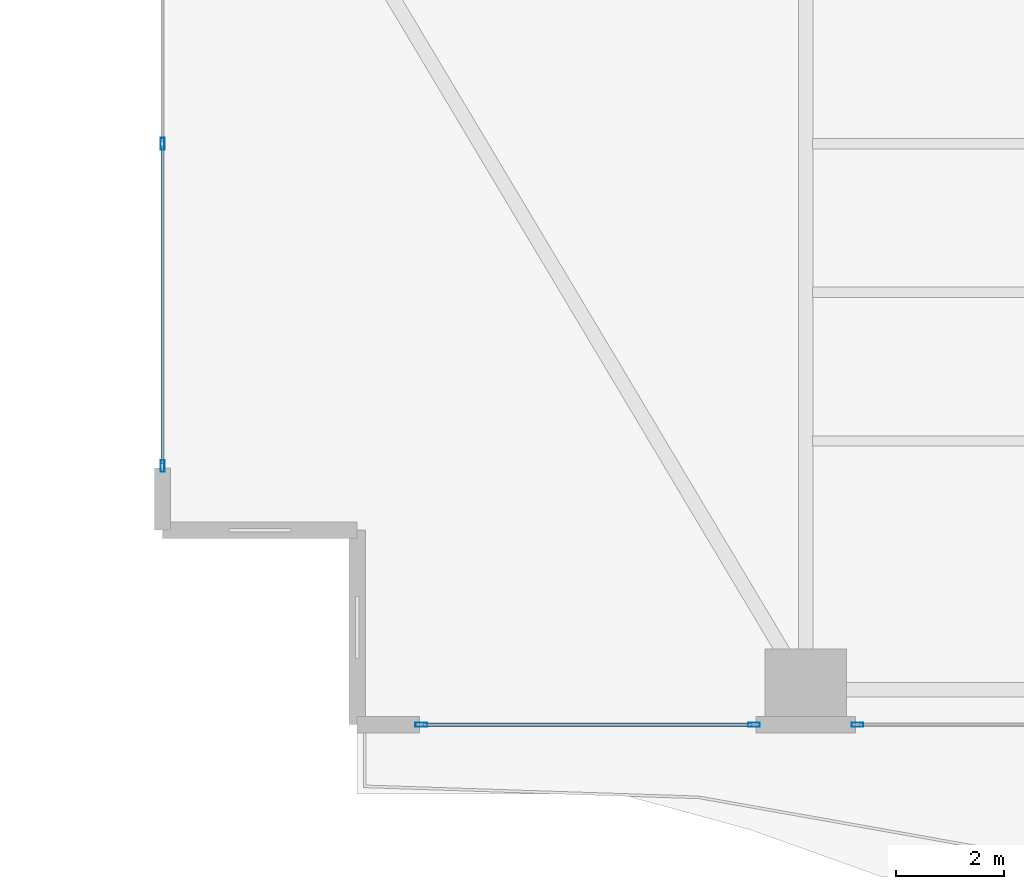
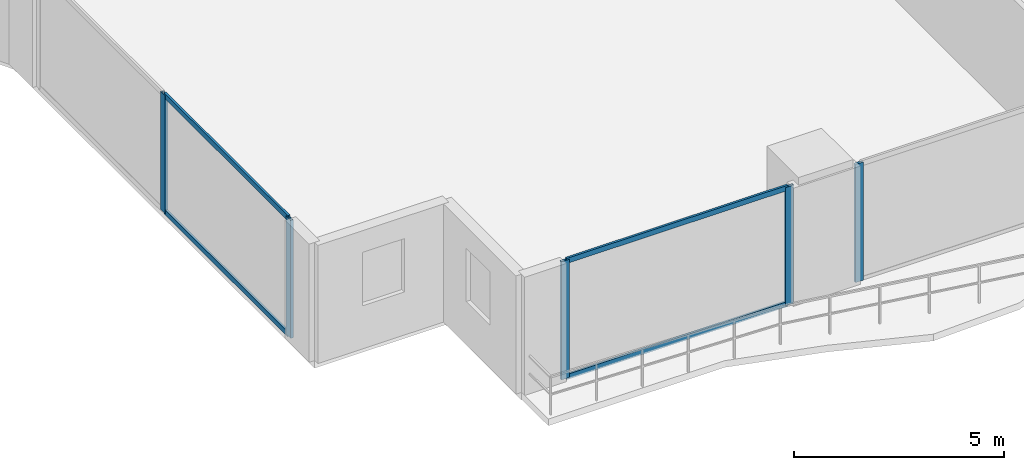
# One storey, part 2 of 30: 9 members, 3 elements without a shape of their own.
"""IFC4 building model written with IfcOpenShell, lengths in metres."""

import ifcopenshell
import ifcopenshell.guid

model = None  # the IFC model being written
_history = None  # IfcOwnerHistory: only IFC2X3 demands one
_inside = {}  # id of a spatial element -> (the spatial element, [elements in it])
_under = {}  # id of a project, library or spatial element -> (it, [spatial elements below it])
_declared = {}  # id of a project -> (the project, [libraries it declares])
_typed = {}  # id of a type object -> (the type object, [elements of that type])
_made_of = {}  # id of a material, layer set ... -> (it, [elements and type objects made of it])


def new_model(schema):
    """Start an empty IFC model of exactly this schema.

    Asked for "IFC4X3", IfcOpenShell would pick the latest addendum, in which some entities
    have other attributes; the version numbers below select the first issue.
    IFC2X3 requires an IfcOwnerHistory on every rooted entity: one is made here for all.
    """
    global model, _history
    if schema == "IFC4X3":
        model = ifcopenshell.file(schema_version=(4, 3, 0, 0))
    else:
        model = ifcopenshell.file(schema=schema)
    _inside.clear()
    _under.clear()
    _declared.clear()
    _typed.clear()
    _made_of.clear()
    _history = None
    if model.schema == "IFC2X3":
        org = make("IfcOrganization", Name="unknown")
        user = make(
            "IfcPersonAndOrganization",
            ThePerson=make("IfcPerson", FamilyName="unknown"),
            TheOrganization=org,
        )
        app = make(
            "IfcApplication",
            ApplicationDeveloper=org,
            Version="unknown",
            ApplicationFullName="unknown",
            ApplicationIdentifier="unknown",
        )
        _history = make(
            "IfcOwnerHistory",
            OwningUser=user,
            OwningApplication=app,
            ChangeAction="ADDED",
            CreationDate=0,
        )
    return model


def make(cls, **values):
    """One entity of the class cls with the attributes given. An attribute that is None is left unset."""
    return model.create_entity(
        cls, **{name: value for name, value in values.items() if value is not None}
    )


def rooted(cls, **values):
    """An entity with a GlobalId (a new one), such as an element, a storey or a relation."""
    return make(cls, GlobalId=ifcopenshell.guid.new(), OwnerHistory=_history, **values)


def si_unit(unit_type, name, prefix=None):
    """IfcSIUnit, for example si_unit("LENGTHUNIT", "METRE", prefix="MILLI")."""
    return make("IfcSIUnit", UnitType=unit_type, Prefix=prefix, Name=name)


def assignment(units):
    """IfcUnitAssignment: the units of a project."""
    return None if units is None else make("IfcUnitAssignment", Units=units)


def point(xyz):
    """IfcCartesianPoint."""
    return None if xyz is None else make("IfcCartesianPoint", Coordinates=xyz)


def direction(xyz):
    """IfcDirection."""
    return None if xyz is None else make("IfcDirection", DirectionRatios=xyz)


def frame(location, z_axis=None, x_axis=None):
    """IfcAxis2Placement3D, a coordinate frame: its origin and axes. An axis left out is left unset."""
    return make(
        "IfcAxis2Placement3D",
        Location=point(location),
        Axis=direction(z_axis),
        RefDirection=direction(x_axis),
    )


def frame_2d(location, x_axis=None):
    """IfcAxis2Placement2D, a coordinate frame in the plane: its origin and x axis."""
    return make(
        "IfcAxis2Placement2D", Location=point(location), RefDirection=direction(x_axis)
    )


def origin():
    """The frame at (0, 0, 0) with its axes left unset."""
    return frame((0.0, 0.0, 0.0))


def origin_2d():
    """The frame at (0, 0) in the plane with its x axis left unset."""
    return frame_2d((0.0, 0.0))


def place(relative_to, where):
    """IfcLocalPlacement: puts the frame where relative to a parent placement (None: the world)."""
    return make(
        "IfcLocalPlacement", PlacementRelTo=relative_to, RelativePlacement=where
    )


def context(
    kind, dimensions, precision=None, world=None, true_north=None, identifier=None
):
    """IfcGeometricRepresentationContext, for example the 3D "Model" context."""
    return make(
        "IfcGeometricRepresentationContext",
        ContextIdentifier=identifier,
        ContextType=kind,
        CoordinateSpaceDimension=dimensions,
        Precision=precision,
        WorldCoordinateSystem=world,
        TrueNorth=true_north,
    )


def subcontext(parent, identifier, kind, view, scale=None):
    """IfcGeometricRepresentationSubContext, for example "Body" below "Model"."""
    return make(
        "IfcGeometricRepresentationSubContext",
        ContextIdentifier=identifier,
        ContextType=kind,
        ParentContext=parent,
        TargetScale=scale,
        TargetView=view,
    )


def project(units=None, contexts=None):
    """IfcProject with its units and contexts."""
    return rooted(
        "IfcProject",
        Name="project",
        RepresentationContexts=contexts,
        UnitsInContext=assignment(units),
    )


def spatial(cls, under=None, at=None, **own):
    """A site, building, storey or space (cls), placed at a placement, below another one or the project."""
    s = rooted(cls, ObjectPlacement=at, **own)
    if under is not None:
        _under.setdefault(under.id(), (under, []))[1].append(s)
    return s


def profile(cls, at=None, kind="AREA", **sizes):
    """A parametric profile (cls). Its sizes go by their IFC names, for example OverallWidth=200.0."""
    return make(cls, ProfileType=kind, Position=at, **sizes)


def hollow_rectangle(**sizes):
    """IfcRectangleHollowProfileDef."""
    return profile("IfcRectangleHollowProfileDef", **sizes)


def extrude(swept, where, along, depth):
    """IfcExtrudedAreaSolid: the profile swept, set in the frame where, extruded along a direction by depth."""
    return make(
        "IfcExtrudedAreaSolid",
        SweptArea=swept,
        Position=where,
        ExtrudedDirection=direction(along),
        Depth=depth,
    )


def shape(context_of_items, identifier, shape_type, items):
    """IfcShapeRepresentation: the items that make up one representation, for example the "Body"."""
    return make(
        "IfcShapeRepresentation",
        ContextOfItems=context_of_items,
        RepresentationIdentifier=identifier,
        RepresentationType=shape_type,
        Items=items,
    )


def material(Name=None, Category=None):
    """IfcMaterial."""
    return make("IfcMaterial", Name=Name, Category=Category)


def layer(
    of_material, thickness, ventilated=None, Name=None, Category=None, Priority=None
):
    """IfcMaterialLayer: one layer of a wall or slab, of a material (None: an air gap)."""
    return make(
        "IfcMaterialLayer",
        Material=of_material,
        LayerThickness=thickness,
        IsVentilated=ventilated,
        Name=Name,
        Category=Category,
        Priority=Priority,
    )


def layer_set(layers, Name=None):
    """IfcMaterialLayerSet."""
    return make("IfcMaterialLayerSet", MaterialLayers=layers, LayerSetName=Name)


def material_profile(
    of_material, cross_section, Name=None, Category=None, Priority=None
):
    """IfcMaterialProfile: a cross section and its material."""
    return make(
        "IfcMaterialProfile",
        Name=Name,
        Material=of_material,
        Profile=cross_section,
        Priority=Priority,
        Category=Category,
    )


def profile_set(profiles, Name=None, composite=None):
    """IfcMaterialProfileSet."""
    return make(
        "IfcMaterialProfileSet",
        Name=Name,
        MaterialProfiles=profiles,
        CompositeProfile=composite,
    )


def made_of(thing, what):
    """Note that an element or type object is made of a material, layer set ...; save() writes the relation."""
    if what is not None:
        _made_of.setdefault(what.id(), (what, []))[1].append(thing)
    return thing


def type_object(cls, material=None, **own):
    """A type object (cls), such as IfcWallType, which elements share."""
    return made_of(rooted(cls, **own), material)


def element(
    cls,
    number,
    at=None,
    inside=None,
    cuts=None,
    type_object=None,
    material=None,
    context=None,
    identifier="Body",
    shape_type=None,
    held_by="IfcProductDefinitionShape",
    body=None,
    shapes=None,
    **own,
):
    """One element of the class cls, such as IfcWall. Its Tag is "e" and its number.

    at: its placement. inside: the storey or other place that contains it. cuts: it is an
    opening in that element (IfcRelVoidsElement). A single representation is given by context,
    identifier, shape_type and body (its items); several are given by shapes. held_by: the class
    of the entity that holds the representations. save() writes the other relations.
    """
    e = rooted(cls, Tag="e%d" % number, ObjectPlacement=at, **own)
    if body is not None:
        shapes = [shape(context, identifier, shape_type, body)]
    if shapes is not None:
        e.Representation = make(held_by, Representations=shapes)
    if inside is not None:
        _inside.setdefault(inside.id(), (inside, []))[1].append(e)
    if cuts is not None:
        rooted(
            "IfcRelVoidsElement", RelatingBuildingElement=cuts, RelatedOpeningElement=e
        )
    if type_object is not None:
        _typed.setdefault(type_object.id(), (type_object, []))[1].append(e)
    return made_of(e, material)


def aggregate(whole, parts):
    """IfcRelAggregates: a whole, such as a stair, and the parts it consists of."""
    return rooted("IfcRelAggregates", RelatingObject=whole, RelatedObjects=parts)


def save(model, path):
    """Write the relations noted so far, then the file.

    IfcRelAggregates (storeys below a building ...), IfcRelContainedInSpatialStructure (elements
    in a storey), IfcRelDefinesByType, IfcRelAssociatesMaterial and IfcRelDeclares: one each for
    every whole, place, type object, material and project.
    """
    for whole, parts in _under.values():
        aggregate(whole, parts)
    for where, things in _inside.values():
        rooted(
            "IfcRelContainedInSpatialStructure",
            RelatedElements=things,
            RelatingStructure=where,
        )
    for kind, things in _typed.values():
        rooted("IfcRelDefinesByType", RelatedObjects=things, RelatingType=kind)
    for what, things in _made_of.values():
        rooted("IfcRelAssociatesMaterial", RelatedObjects=things, RelatingMaterial=what)
    for by, libraries in _declared.values():
        rooted("IfcRelDeclares", RelatingContext=by, RelatedDefinitions=libraries)
    model.write(path)


model = new_model("IFC4")

# Units and contexts
model_context = context("Model", 3, precision=1e-05, world=origin(), true_north=direction((0.0, 1.0)))
body_context = subcontext(model_context, "Body", "Model", "MODEL_VIEW")
ifc_project = project(units=[si_unit("LENGTHUNIT", "METRE"), si_unit("AREAUNIT", "SQUARE_METRE"), si_unit("VOLUMEUNIT", "CUBIC_METRE"), si_unit("PLANEANGLEUNIT", "RADIAN"), si_unit("MASSUNIT", "GRAM", prefix="KILO")], contexts=[model_context])

# Site, building, storey
site_placement = place(None, origin())
site = spatial("IfcSite", under=ifc_project, at=site_placement, CompositionType="ELEMENT")
building_placement = place(site_placement, origin())
building = spatial("IfcBuilding", under=site, at=building_placement, Name="Zuhayl Quay Hotel", CompositionType="ELEMENT")
storey_placement = place(building_placement, frame((0.0, 0.0, 82.35009765625)))
storey = spatial("IfcBuildingStorey", under=building, at=storey_placement, Name="L20", CompositionType="ELEMENT", Elevation=82.35009765625)

# Curtain wall, members
ifc_material_1 = material(Name="Anodised Aluminium 6063-T6", Category="aluminium")
ifc_layer = layer(ifc_material_1, 0.18994140625, Name="Anodised Aluminium 6063-T6", Category="aluminium")
ifc_layer_set = layer_set([ifc_layer], Name="Anodised Aluminium 6063-T6")
curtain_wall_type = type_object("IfcCurtainWallType", Name="CW_SYS_Z1", PredefinedType="USERDEFINED", material=ifc_layer_set)
curtain_wall_1_placement = place(storey_placement, origin())
curtain_wall_1 = element("IfcCurtainWall", 1, at=curtain_wall_1_placement, inside=storey, type_object=curtain_wall_type, Name="L20 Curtain Wall ENV_L20_E02_CW1", ObjectType="UNITISED CURTAIN WALL", PredefinedType="USERDEFINED")
ifc_material_2 = material(Name="Black-anodised aluminium 6063-T6", Category="aluminium")
ifc_material_profile_1 = material_profile(ifc_material_2, hollow_rectangle(XDim=0.074951171875, YDim=0.219970703125, WallThickness=0.00390625, at=origin_2d()), Name="ALU220X75")
ifc_profile_set_1 = profile_set([ifc_material_profile_1], Name="Black-anodised aluminium 6063-T6")
member_type_1 = type_object("IfcMemberType", Name="MB_CW_MUL_220", PredefinedType="MULLION", material=ifc_profile_set_1)
member_1_placement = place(storey_placement, frame((-25.699951171875, -18.3125, 0.0), z_axis=(0.0, 0.0, 1.0), x_axis=(-1.0, 0.0, 0.0)))
member_1 = element("IfcMember", 2, at=member_1_placement, type_object=member_type_1, Name="CW-Z1 mullion 1", PredefinedType="MULLION", context=body_context, shape_type="SweptSolid", body=[
    extrude(hollow_rectangle(XDim=0.074951171875, YDim=0.219970703125, WallThickness=0.00390625, at=origin_2d()), origin(), (0.0, 0.0, 1.0), 3.429931640625),
])
member_2_placement = place(storey_placement, frame((-25.699951171875, -12.35009765625, 0.0), z_axis=(0.0, 0.0, 1.0), x_axis=(-1.0, 0.0, 0.0)))
member_2 = element("IfcMember", 3, at=member_2_placement, type_object=member_type_1, Name="CW-Z1 mullion 2", PredefinedType="MULLION", context=body_context, shape_type="SweptSolid", body=[
    extrude(hollow_rectangle(XDim=0.074951171875, YDim=0.219970703125, WallThickness=0.00390625, at=origin_2d()), origin(), (0.0, 0.0, 1.0), 3.429931640625),
])

# Curtain wall, member
curtain_wall_2_placement = place(storey_placement, origin())
curtain_wall_2 = element("IfcCurtainWall", 4, at=curtain_wall_2_placement, inside=storey, type_object=curtain_wall_type, Name="L20 Curtain Wall ENV_L20_S_CW5", ObjectType="UNITISED CURTAIN WALL", PredefinedType="USERDEFINED")
member_3_placement = place(storey_placement, frame((-12.842529296875, -23.10009765625, 0.0), z_axis=(0.0, 0.0, 1.0), x_axis=(0.0, -1.0, 0.0)))
member_3 = element("IfcMember", 5, at=member_3_placement, type_object=member_type_1, Name="CW-Z1 mullion 2", PredefinedType="MULLION", context=body_context, shape_type="SweptSolid", body=[
    extrude(hollow_rectangle(XDim=0.074951171875, YDim=0.219970703125, WallThickness=0.00390625, at=origin_2d()), origin(), (0.0, 0.0, 1.0), 3.429931640625),
])
aggregate(curtain_wall_2, [member_3])

# Curtain wall, members
curtain_wall_3_placement = place(storey_placement, origin())
curtain_wall_3 = element("IfcCurtainWall", 6, at=curtain_wall_3_placement, inside=storey, type_object=curtain_wall_type, Name="L20 Curtain Wall ENV_L20_S_CW6", ObjectType="UNITISED CURTAIN WALL", PredefinedType="USERDEFINED")
member_4_placement = place(storey_placement, frame((-14.757568359375, -23.10009765625, 0.0), z_axis=(0.0, 0.0, 1.0), x_axis=(0.0, -1.0, 0.0)))
member_4 = element("IfcMember", 7, at=member_4_placement, type_object=member_type_1, Name="CW-Z1 mullion 1", PredefinedType="MULLION", context=body_context, shape_type="SweptSolid", body=[
    extrude(hollow_rectangle(XDim=0.074951171875, YDim=0.219970703125, WallThickness=0.00390625, at=origin_2d()), origin(), (0.0, 0.0, 1.0), 3.429931640625),
])
member_5_placement = place(storey_placement, frame((-20.91259765625, -23.10009765625, 0.0), z_axis=(0.0, 0.0, 1.0), x_axis=(0.0, -1.0, 0.0)))
member_5 = element("IfcMember", 8, at=member_5_placement, type_object=member_type_1, Name="CW-Z1 mullion 2", PredefinedType="MULLION", context=body_context, shape_type="SweptSolid", body=[
    extrude(hollow_rectangle(XDim=0.074951171875, YDim=0.219970703125, WallThickness=0.00390625, at=origin_2d()), origin(), (0.0, 0.0, 1.0), 3.429931640625),
])

# Member
ifc_material_profile_2 = material_profile(ifc_material_2, hollow_rectangle(XDim=0.06005859375, YDim=0.14990234375, WallThickness=0.00341796875, at=origin_2d()), Name="ALU150X60")
ifc_profile_set_2 = profile_set([ifc_material_profile_2], Name="Black-anodised aluminium 6063-T6")
member_type_2 = type_object("IfcMemberType", Name="MB_CW_TRN_150", PredefinedType="USERDEFINED", material=ifc_profile_set_2)
member_6_placement = place(storey_placement, frame((-25.699951171875, -18.27490234375, 0.02978515625), z_axis=(0.0, 1.0, 0.0), x_axis=(-1.0, 0.0, 0.0)))
member_6 = element("IfcMember", 9, at=member_6_placement, type_object=member_type_2, Name="CW-Z1 transom 1.1", ObjectType="TRANSOM", PredefinedType="USERDEFINED", context=body_context, shape_type="SweptSolid", body=[
    extrude(hollow_rectangle(XDim=0.06005859375, YDim=0.14990234375, WallThickness=0.00341796875, at=origin_2d()), origin(), (0.0, 0.0, 1.0), 5.887451171875),
])

member_7_placement = place(storey_placement, frame((-25.699951171875, -18.27490234375, 3.39990234375), z_axis=(0.0, 1.0, 0.0), x_axis=(-1.0, 0.0, 0.0)))
member_7 = element("IfcMember", 10, at=member_7_placement, type_object=member_type_2, Name="CW-Z1 transom 1.2", ObjectType="TRANSOM", PredefinedType="USERDEFINED", context=body_context, shape_type="SweptSolid", body=[
    extrude(hollow_rectangle(XDim=0.06005859375, YDim=0.14990234375, WallThickness=0.00341796875, at=origin_2d()), origin(), (0.0, 0.0, 1.0), 5.887451171875),
])

aggregate(curtain_wall_1, [member_1, member_2, member_6, member_7])

member_8_placement = place(storey_placement, frame((-14.794921875, -23.10009765625, 0.02978515625), z_axis=(-1.0, 0.0, 0.0), x_axis=(0.0, -1.0, 0.0)))
member_8 = element("IfcMember", 11, at=member_8_placement, type_object=member_type_2, Name="CW-Z1 transom 1.1", ObjectType="TRANSOM", PredefinedType="USERDEFINED", context=body_context, shape_type="SweptSolid", body=[
    extrude(hollow_rectangle(XDim=0.06005859375, YDim=0.14990234375, WallThickness=0.00341796875, at=origin_2d()), origin(), (0.0, 0.0, 1.0), 6.080078125),
])

member_9_placement = place(storey_placement, frame((-14.794921875, -23.10009765625, 3.39990234375), z_axis=(-1.0, 0.0, 0.0), x_axis=(0.0, -1.0, 0.0)))
member_9 = element("IfcMember", 12, at=member_9_placement, type_object=member_type_2, Name="CW-Z1 transom 1.2", ObjectType="TRANSOM", PredefinedType="USERDEFINED", context=body_context, shape_type="SweptSolid", body=[
    extrude(hollow_rectangle(XDim=0.06005859375, YDim=0.14990234375, WallThickness=0.00341796875, at=origin_2d()), origin(), (0.0, 0.0, 1.0), 6.080078125),
])

aggregate(curtain_wall_3, [member_4, member_5, member_8, member_9])

save(model, "model.ifc")
